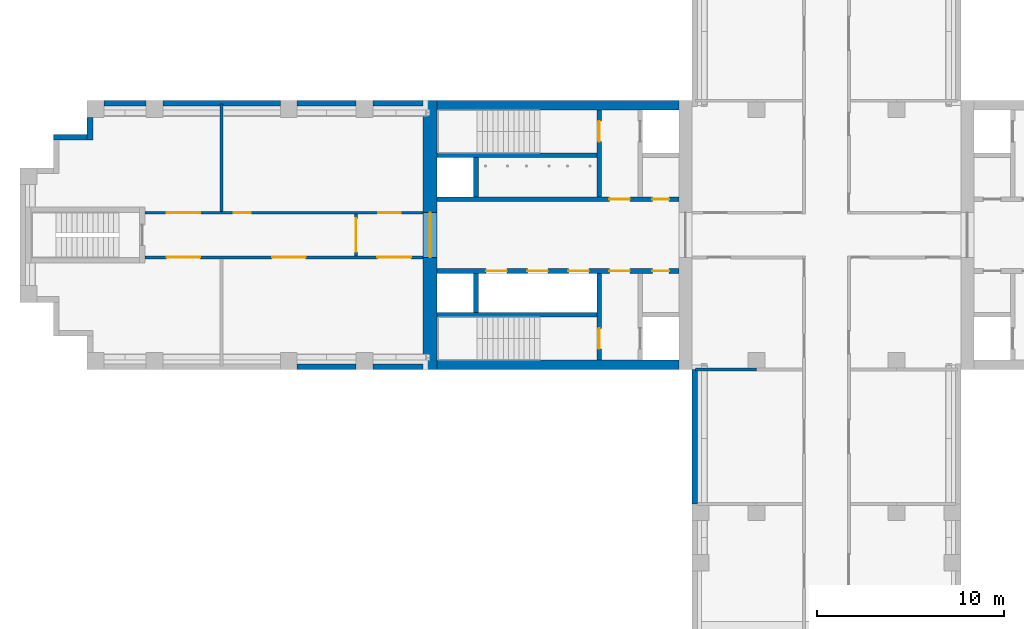
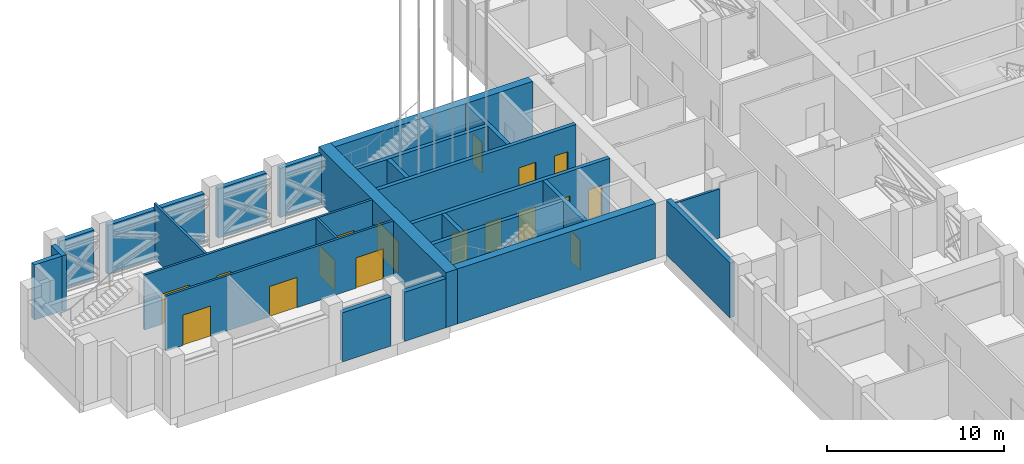
# One storey, part 5 of 22: 25 walls, 17 doors, 17 openings.
"""IFC4 building model written with IfcOpenShell, lengths in metres."""

from ifc_helpers import new_model, si_unit, direction, frame, frame_2d, origin, place, context, subcontext, project, spatial, rectangle, extrude, material, layer, layer_set, type_object, element, fill, save


model = new_model("IFC4")

# Units and contexts
model_context = context("Model", 3, precision=1e-05, world=origin(), true_north=direction((0.0, 1.0)))
body_context = subcontext(model_context, "Body", "Model", "MODEL_VIEW")
ifc_project = project(units=[si_unit("LENGTHUNIT", "METRE"), si_unit("AREAUNIT", "SQUARE_METRE"), si_unit("VOLUMEUNIT", "CUBIC_METRE"), si_unit("PLANEANGLEUNIT", "RADIAN"), si_unit("MASSUNIT", "GRAM", prefix="KILO")], contexts=[model_context])

# Site, building, storey
site_placement = place(None, origin())
site = spatial("IfcSite", under=ifc_project, at=site_placement, CompositionType="ELEMENT")
building_placement = place(site_placement, origin())
building = spatial("IfcBuilding", under=site, at=building_placement, Name="Fustian Cross Tower", CompositionType="ELEMENT")
storey_placement = place(building_placement, frame((0.0, 0.0, 111.89990234375)))
storey = spatial("IfcBuildingStorey", under=building, at=storey_placement, Name="L35", CompositionType="ELEMENT", Elevation=111.89990234375)

# Wall, openings, doors
ifc_material_1 = material(Name="Plasterboard on steel stud", Category="steel")
ifc_layer_1 = layer(ifc_material_1, 0.14990234375)
ifc_layer_set_1 = layer_set([ifc_layer_1], Name="Plasterboard on steel stud")
wall_type_1 = type_object("IfcWallType", Name="COMPARTMENT WALL 150 EI 60", PredefinedType="PARTITIONING", material=ifc_layer_set_1)
wall_1_placement = place(storey_placement, frame((-36.5, -1.199951171875, 0.0), z_axis=(0.0, 0.0, 1.0), x_axis=(1.0, 0.0, 0.0)))
wall_1 = element("IfcWall", 1, at=wall_1_placement, inside=storey, type_object=wall_type_1, Name="Partition 1", PredefinedType="PARTITIONING", context=body_context, shape_type="SweptSolid", body=[
    extrude(rectangle(XDim=14.89990234375, YDim=0.14990234375, at=frame_2d((7.449951171875, 0.0))), origin(), (0.0, 0.0, 1.0), 3.800048828125),
])
opening_1_placement = place(wall_1_placement, frame((6.800048828125, 0.0, 0.0)))
opening_1 = element("IfcOpeningElement", 2, at=opening_1_placement, cuts=wall_1, Name="Opening D16032", PredefinedType="OPENING", context=body_context, shape_type="SweptSolid", body=[
    extrude(rectangle(XDim=1.800048828125, YDim=2.10009765625, at=frame_2d((0.89990234375, 1.050048828125))), frame((0.0, 0.0849609375, 0.0), z_axis=(0.0, -1.0, 0.0), x_axis=(1.0, 0.0, 0.0)), (0.0, 0.0, 1.0), 0.169921875),
])
opening_2_placement = place(wall_1_placement, frame((12.449951171875, 0.0, 0.0)))
opening_2 = element("IfcOpeningElement", 3, at=opening_2_placement, cuts=wall_1, Name="Opening D16033", PredefinedType="OPENING", context=body_context, shape_type="SweptSolid", body=[
    extrude(rectangle(XDim=1.800048828125, YDim=2.10009765625, at=frame_2d((0.89990234375, 1.050048828125))), frame((0.0, 0.0849609375, 0.0), z_axis=(0.0, -1.0, 0.0), x_axis=(1.0, 0.0, 0.0)), (0.0, 0.0, 1.0), 0.169921875),
])
opening_3_placement = place(wall_1_placement, frame((1.14990234375, 0.0, 0.0)))
opening_3 = element("IfcOpeningElement", 4, at=opening_3_placement, cuts=wall_1, Name="Opening D16034", PredefinedType="OPENING", context=body_context, shape_type="SweptSolid", body=[
    extrude(rectangle(XDim=1.800048828125, YDim=2.10009765625, at=frame_2d((0.89990234375, 1.050048828125))), frame((0.0, 0.0849609375, 0.0), z_axis=(0.0, -1.0, 0.0), x_axis=(1.0, 0.0, 0.0)), (0.0, 0.0, 1.0), 0.169921875),
])
ifc_material_2 = material(Name="Timber fire door set", Category="wood")
door_type_1 = type_object("IfcDoorType", Name="FIRE DOUBLE DOOR 1800 FD60S", OperationType="DOUBLE_DOOR_DOUBLE_SWING", PredefinedType="DOOR", material=ifc_material_2)
door_1_placement = place(opening_1_placement, origin())
door_1 = element("IfcDoor", 5, at=door_1_placement, inside=storey, type_object=door_type_1, Name="Door D16032", OperationType="DOUBLE_DOOR_DOUBLE_SWING", OverallHeight=2.10009765625, OverallWidth=1.800048828125, PredefinedType="DOOR", context=body_context, shape_type="SweptSolid", body=[
    extrude(rectangle(XDim=1.800048828125, YDim=2.10009765625, at=frame_2d((0.89990234375, 1.050048828125))), frame((0.0, 0.02490234375, 0.0), z_axis=(0.0, -1.0, 0.0), x_axis=(1.0, 0.0, 0.0)), (0.0, 0.0, 1.0), 0.050048828125),
])
fill(opening_1, door_1)
door_2_placement = place(opening_2_placement, origin())
door_2 = element("IfcDoor", 6, at=door_2_placement, inside=storey, type_object=door_type_1, Name="Door D16033", OperationType="DOUBLE_DOOR_DOUBLE_SWING", OverallHeight=2.10009765625, OverallWidth=1.800048828125, PredefinedType="DOOR", context=body_context, shape_type="SweptSolid", body=[
    extrude(rectangle(XDim=1.800048828125, YDim=2.10009765625, at=frame_2d((0.89990234375, 1.050048828125))), frame((0.0, 0.02490234375, 0.0), z_axis=(0.0, -1.0, 0.0), x_axis=(1.0, 0.0, 0.0)), (0.0, 0.0, 1.0), 0.050048828125),
])
fill(opening_2, door_2)
door_3_placement = place(opening_3_placement, origin())
door_3 = element("IfcDoor", 7, at=door_3_placement, inside=storey, type_object=door_type_1, Name="Door D16034", OperationType="DOUBLE_DOOR_DOUBLE_SWING", OverallHeight=2.10009765625, OverallWidth=1.800048828125, PredefinedType="DOOR", context=body_context, shape_type="SweptSolid", body=[
    extrude(rectangle(XDim=1.800048828125, YDim=2.10009765625, at=frame_2d((0.89990234375, 1.050048828125))), frame((0.0, 0.02490234375, 0.0), z_axis=(0.0, -1.0, 0.0), x_axis=(1.0, 0.0, 0.0)), (0.0, 0.0, 1.0), 0.050048828125),
])
fill(opening_3, door_3)

wall_2_placement = place(storey_placement, frame((-36.5, 1.199951171875, 0.0), z_axis=(0.0, 0.0, 1.0), x_axis=(1.0, 0.0, 0.0)))
wall_2 = element("IfcWall", 8, at=wall_2_placement, inside=storey, type_object=wall_type_1, Name="Partition 2", PredefinedType="PARTITIONING", context=body_context, shape_type="SweptSolid", body=[
    extrude(rectangle(XDim=14.89990234375, YDim=0.14990234375, at=frame_2d((7.449951171875, 0.0))), origin(), (0.0, 0.0, 1.0), 3.800048828125),
])
opening_4_placement = place(wall_2_placement, frame((4.75, 0.0, 0.0)))
opening_4 = element("IfcOpeningElement", 9, at=opening_4_placement, cuts=wall_2, Name="Opening D16035", PredefinedType="OPENING", context=body_context, shape_type="SweptSolid", body=[
    extrude(rectangle(XDim=0.89990234375, YDim=2.10009765625, at=frame_2d((0.449951171875, 1.050048828125))), frame((0.0, 0.0849609375, 0.0), z_axis=(0.0, -1.0, 0.0), x_axis=(1.0, 0.0, 0.0)), (0.0, 0.0, 1.0), 0.169921875),
])
opening_5_placement = place(wall_2_placement, frame((12.5, 0.0, 0.0)))
opening_5 = element("IfcOpeningElement", 10, at=opening_5_placement, cuts=wall_2, Name="Opening D16036", PredefinedType="OPENING", context=body_context, shape_type="SweptSolid", body=[
    extrude(rectangle(XDim=1.199951171875, YDim=2.10009765625, at=frame_2d((0.60009765625, 1.050048828125))), frame((0.0, 0.0849609375, 0.0), z_axis=(0.0, -1.0, 0.0), x_axis=(1.0, 0.0, 0.0)), (0.0, 0.0, 1.0), 0.169921875),
])
opening_6_placement = place(wall_2_placement, frame((1.14990234375, 0.0, 0.0)))
opening_6 = element("IfcOpeningElement", 11, at=opening_6_placement, cuts=wall_2, Name="Opening D16037", PredefinedType="OPENING", context=body_context, shape_type="SweptSolid", body=[
    extrude(rectangle(XDim=1.800048828125, YDim=2.10009765625, at=frame_2d((0.89990234375, 1.050048828125))), frame((0.0, 0.0849609375, 0.0), z_axis=(0.0, -1.0, 0.0), x_axis=(1.0, 0.0, 0.0)), (0.0, 0.0, 1.0), 0.169921875),
])
door_4_placement = place(opening_6_placement, frame((1.800048828125, 0.0, 0.0), z_axis=(0.0, 0.0, 1.0), x_axis=(-1.0, 0.0, 0.0)))
door_4 = element("IfcDoor", 12, at=door_4_placement, inside=storey, type_object=door_type_1, Name="Door D16037", OperationType="DOUBLE_DOOR_DOUBLE_SWING", OverallHeight=2.10009765625, OverallWidth=1.800048828125, PredefinedType="DOOR", context=body_context, shape_type="SweptSolid", body=[
    extrude(rectangle(XDim=1.800048828125, YDim=2.10009765625, at=frame_2d((0.89990234375, 1.050048828125))), frame((0.0, 0.02490234375, 0.0), z_axis=(0.0, -1.0, 0.0), x_axis=(1.0, 0.0, 0.0)), (0.0, 0.0, 1.0), 0.050048828125),
])
fill(opening_6, door_4)
ifc_material_3 = material(Name="Timber fire door set", Category="wood")
door_type_2 = type_object("IfcDoorType", Name="FIRE SWING DOOR 1200 FD60S", OperationType="SINGLE_SWING_LEFT", PredefinedType="DOOR", material=ifc_material_3)
door_5_placement = place(opening_5_placement, origin())
door_5 = element("IfcDoor", 13, at=door_5_placement, inside=storey, type_object=door_type_2, Name="Door D16036", OperationType="SINGLE_SWING_RIGHT", OverallHeight=2.10009765625, OverallWidth=1.199951171875, PredefinedType="DOOR", context=body_context, shape_type="SweptSolid", body=[
    extrude(rectangle(XDim=1.199951171875, YDim=2.10009765625, at=frame_2d((0.60009765625, 1.050048828125))), frame((0.0, 0.02490234375, 0.0), z_axis=(0.0, -1.0, 0.0), x_axis=(1.0, 0.0, 0.0)), (0.0, 0.0, 1.0), 0.050048828125),
])
fill(opening_5, door_5)
ifc_material_4 = material(Name="Timber fire door set", Category="wood")
door_type_3 = type_object("IfcDoorType", Name="FIRE SWING DOOR 900 FD30S", OperationType="SINGLE_SWING_LEFT", PredefinedType="DOOR", material=ifc_material_4)
door_6_placement = place(opening_4_placement, origin())
door_6 = element("IfcDoor", 14, at=door_6_placement, inside=storey, type_object=door_type_3, Name="Door D16035", OperationType="SINGLE_SWING_LEFT", OverallHeight=2.10009765625, OverallWidth=0.89990234375, PredefinedType="DOOR", context=body_context, shape_type="SweptSolid", body=[
    extrude(rectangle(XDim=0.89990234375, YDim=2.10009765625, at=frame_2d((0.449951171875, 1.050048828125))), frame((0.0, 0.02490234375, 0.0), z_axis=(0.0, -1.0, 0.0), x_axis=(1.0, 0.0, 0.0)), (0.0, 0.0, 1.0), 0.050048828125),
])
fill(opening_4, door_6)

# Wall
wall_3_placement = place(storey_placement, frame((-32.39990234375, 1.27490234375, 0.0), z_axis=(0.0, 0.0, 1.0), x_axis=(0.0, 1.0, 0.0)))
element("IfcWall", 15, at=wall_3_placement, inside=storey, type_object=wall_type_1, Name="Partition 4", PredefinedType="PARTITIONING", context=body_context, shape_type="SweptSolid", body=[
    extrude(rectangle(XDim=5.7451171875, YDim=0.14990234375, at=frame_2d((2.87255859375, 0.0))), origin(), (0.0, 0.0, 1.0), 3.800048828125),
])

# Wall, opening, door
wall_4_placement = place(storey_placement, frame((-25.199951171875, -1.125, 0.0), z_axis=(0.0, 0.0, 1.0), x_axis=(0.0, 1.0, 0.0)))
wall_4 = element("IfcWall", 16, at=wall_4_placement, inside=storey, type_object=wall_type_1, Name="Partition 5", PredefinedType="PARTITIONING", context=body_context, shape_type="SweptSolid", body=[
    extrude(rectangle(XDim=2.25, YDim=0.14990234375, at=frame_2d((1.125, 0.0))), origin(), (0.0, 0.0, 1.0), 3.800048828125),
])
opening_7_placement = place(wall_4_placement, frame((0.22509765625, 0.0, 0.0)))
opening_7 = element("IfcOpeningElement", 17, at=opening_7_placement, cuts=wall_4, Name="Opening D16031", PredefinedType="OPENING", context=body_context, shape_type="SweptSolid", body=[
    extrude(rectangle(XDim=1.800048828125, YDim=2.10009765625, at=frame_2d((0.89990234375, 1.050048828125))), frame((0.0, 0.0849609375, 0.0), z_axis=(0.0, -1.0, 0.0), x_axis=(1.0, 0.0, 0.0)), (0.0, 0.0, 1.0), 0.169921875),
])
ifc_material_5 = material(Name="Timber fire door set", Category="wood")
door_type_4 = type_object("IfcDoorType", Name="FIRE DOUBLE DOOR 1800 FD30S", OperationType="DOUBLE_DOOR_DOUBLE_SWING", PredefinedType="DOOR", material=ifc_material_5)
door_7_placement = place(opening_7_placement, frame((1.800048828125, 0.0, 0.0), z_axis=(0.0, 0.0, 1.0), x_axis=(-1.0, 0.0, 0.0)))
door_7 = element("IfcDoor", 18, at=door_7_placement, inside=storey, type_object=door_type_4, Name="Door D16031", OperationType="DOUBLE_DOOR_DOUBLE_SWING", OverallHeight=2.10009765625, OverallWidth=1.800048828125, PredefinedType="DOOR", context=body_context, shape_type="SweptSolid", body=[
    extrude(rectangle(XDim=1.800048828125, YDim=2.10009765625, at=frame_2d((0.89990234375, 1.050048828125))), frame((0.0, 0.02490234375, 0.0), z_axis=(0.0, -1.0, 0.0), x_axis=(1.0, 0.0, 0.0)), (0.0, 0.0, 1.0), 0.050048828125),
])
fill(opening_7, door_7)

# Wall
wall_5_placement = place(storey_placement, frame((-7.02001953125, -7.199951171875, 0.0), z_axis=(0.0, 0.0, 1.0), x_axis=(1.0, 0.0, 0.0)))
element("IfcWall", 19, at=wall_5_placement, inside=storey, type_object=wall_type_1, Name="Partition 11", PredefinedType="PARTITIONING", context=body_context, shape_type="SweptSolid", body=[
    extrude(rectangle(XDim=3.27001953125, YDim=0.14990234375, at=frame_2d((1.635009765625, 0.0))), origin(), (0.0, 0.0, 1.0), 3.400146484375),
])

# Wall, opening, door
ifc_material_6 = material(Name="Concrete C70/85", Category="concrete")
ifc_layer_2 = layer(ifc_material_6, 0.75)
ifc_layer_set_2 = layer_set([ifc_layer_2], Name="Concrete C70/85")
wall_type_2 = type_object("IfcWallType", Name="CORE END WALL 750 C70/85", PredefinedType="SHEAR", material=ifc_layer_set_2)
wall_6_placement = place(storey_placement, frame((-21.22509765625, -7.199951171875, 0.0), z_axis=(0.0, 0.0, 1.0), x_axis=(0.0, 1.0, 0.0)))
wall_6 = element("IfcWall", 20, at=wall_6_placement, inside=storey, type_object=wall_type_2, Name="Core end wall", PredefinedType="SHEAR", context=body_context, shape_type="SweptSolid", body=[
    extrude(rectangle(XDim=14.39990234375, YDim=0.75, at=frame_2d((7.199951171875, 0.0))), origin(), (0.0, 0.0, 1.0), 3.800048828125),
])
opening_8_placement = place(wall_6_placement, frame((6.0, 0.0, 0.0)))
opening_8 = element("IfcOpeningElement", 21, at=opening_8_placement, cuts=wall_6, Name="Opening CD-13-26", PredefinedType="OPENING", context=body_context, shape_type="SweptSolid", body=[
    extrude(rectangle(XDim=2.39990234375, YDim=2.199951171875, at=frame_2d((1.199951171875, 1.10009765625))), frame((0.0, 0.385009765625, 0.0), z_axis=(0.0, -1.0, 0.0), x_axis=(1.0, 0.0, 0.0)), (0.0, 0.0, 1.0), 0.77001953125),
])
ifc_material_7 = material(Name="Steel", Category="steel")
door_type_5 = type_object("IfcDoorType", Name="FIRE DOOR FD30S DOUBLE 2400X2200", OperationType="DOUBLE_DOOR_DOUBLE_SWING", PredefinedType="DOOR", material=ifc_material_7)
door_8_placement = place(opening_8_placement, frame((2.39990234375, 0.0, 0.0), z_axis=(0.0, 0.0, 1.0), x_axis=(-1.0, 0.0, 0.0)))
door_8 = element("IfcDoor", 22, at=door_8_placement, inside=storey, type_object=door_type_5, Name="Core door CD-13-26", OperationType="DOUBLE_DOOR_DOUBLE_SWING", OverallHeight=2.199951171875, OverallWidth=2.39990234375, PredefinedType="DOOR", context=body_context, shape_type="SweptSolid", body=[
    extrude(rectangle(XDim=2.39990234375, YDim=2.199951171875, at=frame_2d((1.199951171875, 1.10009765625))), frame((0.0, 0.02490234375, 0.0), z_axis=(0.0, -1.0, 0.0), x_axis=(1.0, 0.0, 0.0)), (0.0, 0.0, 1.0), 0.050048828125),
])
fill(opening_8, door_8)

# Walls
ifc_material_8 = material(Name="Concrete C70/85", Category="concrete")
ifc_layer_3 = layer(ifc_material_8, 0.5)
ifc_layer_set_3 = layer_set([ifc_layer_3], Name="Concrete C70/85")
wall_type_3 = type_object("IfcWallType", Name="CORE FACADE WALL 500 C70/85", PredefinedType="SHEAR", material=ifc_layer_set_3)
for number, where, z_axis, x_axis, name in (
    (23, (-7.89990234375, 6.949951171875, 0.0), (0.0, 0.0, 1.0), (-1.0, 0.0, 0.0), "Core facade wall"),
    (24, (-7.89990234375, -6.949951171875, 0.0), (0.0, 0.0, 1.0), (-1.0, 0.0, 0.0), "Core facade wall"),
):
    element("IfcWall", number, at=place(storey_placement, frame(where, z_axis=z_axis, x_axis=x_axis)), inside=storey, type_object=wall_type_3, Name=name, PredefinedType="SHEAR", context=body_context, shape_type="SweptSolid", body=[
        extrude(rectangle(XDim=12.9501953125, YDim=0.5, at=frame_2d((6.47509765625, 0.0))), origin(), (0.0, 0.0, 1.0), 3.800048828125),
    ])

# Wall, openings, doors
ifc_material_9 = material(Name="Concrete C50/60", Category="concrete")
ifc_layer_4 = layer(ifc_material_9, 0.25)
ifc_layer_set_4 = layer_set([ifc_layer_4], Name="Concrete C50/60")
wall_type_4 = type_object("IfcWallType", Name="CORE LOBBY WALL 250 C50/60", PredefinedType="SHEAR", material=ifc_layer_set_4)
wall_7_placement = place(storey_placement, frame((-7.89990234375, 1.925048828125, 0.0), z_axis=(0.0, 0.0, 1.0), x_axis=(-1.0, 0.0, 0.0)))
wall_7 = element("IfcWall", 25, at=wall_7_placement, inside=storey, type_object=wall_type_4, Name="Core lobby wall", PredefinedType="SHEAR", context=body_context, shape_type="SweptSolid", body=[
    extrude(rectangle(XDim=12.9501953125, YDim=0.25, at=frame_2d((6.47509765625, 0.0))), origin(), (0.0, 0.0, 1.0), 3.800048828125),
])
opening_9_placement = place(wall_7_placement, frame((0.52490234375, 0.0, 0.0)))
opening_9 = element("IfcOpeningElement", 26, at=opening_9_placement, cuts=wall_7, Name="Opening CD-13-21", PredefinedType="OPENING", context=body_context, shape_type="SweptSolid", body=[
    extrude(rectangle(XDim=0.89990234375, YDim=2.10009765625, at=frame_2d((0.449951171875, 1.050048828125))), frame((0.0, 0.135009765625, 0.0), z_axis=(0.0, -1.0, 0.0), x_axis=(1.0, 0.0, 0.0)), (0.0, 0.0, 1.0), 0.27001953125),
])
opening_10_placement = place(wall_7_placement, frame((2.625, 0.0, 0.0)))
opening_10 = element("IfcOpeningElement", 27, at=opening_10_placement, cuts=wall_7, Name="Opening CD-13-23", PredefinedType="OPENING", context=body_context, shape_type="SweptSolid", body=[
    extrude(rectangle(XDim=1.10009765625, YDim=2.10009765625, at=frame_2d((0.550048828125, 1.050048828125))), frame((0.0, 0.135009765625, 0.0), z_axis=(0.0, -1.0, 0.0), x_axis=(1.0, 0.0, 0.0)), (0.0, 0.0, 1.0), 0.27001953125),
])
ifc_material_10 = material(Name="Steel", Category="steel")
door_type_6 = type_object("IfcDoorType", Name="FIRE DOOR FD60S 1100X2100", OperationType="SINGLE_SWING_LEFT", PredefinedType="DOOR", material=ifc_material_10)
door_9_placement = place(opening_10_placement, frame((1.10009765625, 0.0, 0.0), z_axis=(0.0, 0.0, 1.0), x_axis=(-1.0, 0.0, 0.0)))
door_9 = element("IfcDoor", 28, at=door_9_placement, inside=storey, type_object=door_type_6, Name="Core door CD-13-23", OperationType="SINGLE_SWING_RIGHT", OverallHeight=2.10009765625, OverallWidth=1.10009765625, PredefinedType="DOOR", context=body_context, shape_type="SweptSolid", body=[
    extrude(rectangle(XDim=1.10009765625, YDim=2.10009765625, at=frame_2d((0.550048828125, 1.050048828125))), frame((0.0, 0.02490234375, 0.0), z_axis=(0.0, -1.0, 0.0), x_axis=(1.0, 0.0, 0.0)), (0.0, 0.0, 1.0), 0.050048828125),
])
fill(opening_10, door_9)
ifc_material_11 = material(Name="Steel", Category="steel")
door_type_7 = type_object("IfcDoorType", Name="FIRE DOOR FD60S 900X2100", OperationType="SINGLE_SWING_LEFT", PredefinedType="DOOR", material=ifc_material_11)
door_10_placement = place(opening_9_placement, frame((0.89990234375, 0.0, 0.0), z_axis=(0.0, 0.0, 1.0), x_axis=(-1.0, 0.0, 0.0)))
door_10 = element("IfcDoor", 29, at=door_10_placement, inside=storey, type_object=door_type_7, Name="Core door CD-13-21", OperationType="SINGLE_SWING_RIGHT", OverallHeight=2.10009765625, OverallWidth=0.89990234375, PredefinedType="DOOR", context=body_context, shape_type="SweptSolid", body=[
    extrude(rectangle(XDim=0.89990234375, YDim=2.10009765625, at=frame_2d((0.449951171875, 1.050048828125))), frame((0.0, 0.02490234375, 0.0), z_axis=(0.0, -1.0, 0.0), x_axis=(1.0, 0.0, 0.0)), (0.0, 0.0, 1.0), 0.050048828125),
])
fill(opening_9, door_10)

wall_8_placement = place(storey_placement, frame((-7.89990234375, -1.925048828125, 0.0), z_axis=(0.0, 0.0, 1.0), x_axis=(-1.0, 0.0, 0.0)))
wall_8 = element("IfcWall", 30, at=wall_8_placement, inside=storey, type_object=wall_type_4, Name="Core lobby wall", PredefinedType="SHEAR", context=body_context, shape_type="SweptSolid", body=[
    extrude(rectangle(XDim=12.9501953125, YDim=0.25, at=frame_2d((6.47509765625, 0.0))), origin(), (0.0, 0.0, 1.0), 3.800048828125),
])
opening_11_placement = place(wall_8_placement, frame((4.824951171875, 0.0, 0.0)))
opening_11 = element("IfcOpeningElement", 31, at=opening_11_placement, cuts=wall_8, Name="Opening LD", PredefinedType="OPENING", context=body_context, shape_type="SweptSolid", body=[
    extrude(rectangle(XDim=1.10009765625, YDim=2.10009765625, at=frame_2d((0.550048828125, 1.050048828125))), frame((0.0, 0.135009765625, 0.0), z_axis=(0.0, -1.0, 0.0), x_axis=(1.0, 0.0, 0.0)), (0.0, 0.0, 1.0), 0.27001953125),
])
opening_12_placement = place(wall_8_placement, frame((7.02490234375, 0.0, 0.0)))
opening_12 = element("IfcOpeningElement", 32, at=opening_12_placement, cuts=wall_8, Name="Opening LD", PredefinedType="OPENING", context=body_context, shape_type="SweptSolid", body=[
    extrude(rectangle(XDim=1.10009765625, YDim=2.10009765625, at=frame_2d((0.550048828125, 1.050048828125))), frame((0.0, 0.135009765625, 0.0), z_axis=(0.0, -1.0, 0.0), x_axis=(1.0, 0.0, 0.0)), (0.0, 0.0, 1.0), 0.27001953125),
])
opening_13_placement = place(wall_8_placement, frame((9.22509765625, 0.0, 0.0)))
opening_13 = element("IfcOpeningElement", 33, at=opening_13_placement, cuts=wall_8, Name="Opening LD", PredefinedType="OPENING", context=body_context, shape_type="SweptSolid", body=[
    extrude(rectangle(XDim=1.10009765625, YDim=2.10009765625, at=frame_2d((0.550048828125, 1.050048828125))), frame((0.0, 0.135009765625, 0.0), z_axis=(0.0, -1.0, 0.0), x_axis=(1.0, 0.0, 0.0)), (0.0, 0.0, 1.0), 0.27001953125),
])
opening_14_placement = place(wall_8_placement, frame((0.52490234375, 0.0, 0.0)))
opening_14 = element("IfcOpeningElement", 34, at=opening_14_placement, cuts=wall_8, Name="Opening CD-13-22", PredefinedType="OPENING", context=body_context, shape_type="SweptSolid", body=[
    extrude(rectangle(XDim=0.89990234375, YDim=2.10009765625, at=frame_2d((0.449951171875, 1.050048828125))), frame((0.0, 0.135009765625, 0.0), z_axis=(0.0, -1.0, 0.0), x_axis=(1.0, 0.0, 0.0)), (0.0, 0.0, 1.0), 0.27001953125),
])
opening_15_placement = place(wall_8_placement, frame((2.625, 0.0, 0.0)))
opening_15 = element("IfcOpeningElement", 35, at=opening_15_placement, cuts=wall_8, Name="Opening CD-13-24", PredefinedType="OPENING", context=body_context, shape_type="SweptSolid", body=[
    extrude(rectangle(XDim=1.10009765625, YDim=2.10009765625, at=frame_2d((0.550048828125, 1.050048828125))), frame((0.0, 0.135009765625, 0.0), z_axis=(0.0, -1.0, 0.0), x_axis=(1.0, 0.0, 0.0)), (0.0, 0.0, 1.0), 0.27001953125),
])
ifc_material_12 = material(Name="Steel", Category="steel")
door_type_8 = type_object("IfcDoorType", Name="FIRE DOOR FD30S 1100X2100", OperationType="SINGLE_SWING_LEFT", PredefinedType="DOOR", material=ifc_material_12)
door_11_placement = place(opening_15_placement, frame((1.10009765625, 0.0, 0.0), z_axis=(0.0, 0.0, 1.0), x_axis=(-1.0, 0.0, 0.0)))
door_11 = element("IfcDoor", 36, at=door_11_placement, inside=storey, type_object=door_type_8, Name="Core door CD-13-24", OperationType="SINGLE_SWING_RIGHT", OverallHeight=2.10009765625, OverallWidth=1.10009765625, PredefinedType="DOOR", context=body_context, shape_type="SweptSolid", body=[
    extrude(rectangle(XDim=1.10009765625, YDim=2.10009765625, at=frame_2d((0.550048828125, 1.050048828125))), frame((0.0, 0.02490234375, 0.0), z_axis=(0.0, -1.0, 0.0), x_axis=(1.0, 0.0, 0.0)), (0.0, 0.0, 1.0), 0.050048828125),
])
fill(opening_15, door_11)
ifc_material_13 = material(Name="Steel", Category="steel")
door_type_9 = type_object("IfcDoorType", Name="FIRE DOOR FD30S 900X2100", OperationType="SINGLE_SWING_LEFT", PredefinedType="DOOR", material=ifc_material_13)
door_12_placement = place(opening_14_placement, origin())
door_12 = element("IfcDoor", 37, at=door_12_placement, inside=storey, type_object=door_type_9, Name="Core door CD-13-22", OperationType="SINGLE_SWING_LEFT", OverallHeight=2.10009765625, OverallWidth=0.89990234375, PredefinedType="DOOR", context=body_context, shape_type="SweptSolid", body=[
    extrude(rectangle(XDim=0.89990234375, YDim=2.10009765625, at=frame_2d((0.449951171875, 1.050048828125))), frame((0.0, 0.02490234375, 0.0), z_axis=(0.0, -1.0, 0.0), x_axis=(1.0, 0.0, 0.0)), (0.0, 0.0, 1.0), 0.050048828125),
])
fill(opening_14, door_12)
ifc_material_14 = material(Name="Stainless steel", Category="steel")
door_type_10 = type_object("IfcDoorType", Name="LIFT LANDING DOOR 1100X2100", OperationType="SLIDING_TO_LEFT", PredefinedType="DOOR", material=ifc_material_14)
door_13_placement = place(opening_11_placement, origin())
door_13 = element("IfcDoor", 38, at=door_13_placement, inside=storey, type_object=door_type_10, Name="Landing door LR1W", OperationType="SLIDING_TO_LEFT", OverallHeight=2.10009765625, OverallWidth=1.10009765625, PredefinedType="DOOR", context=body_context, shape_type="SweptSolid", body=[
    extrude(rectangle(XDim=1.10009765625, YDim=2.10009765625, at=frame_2d((0.550048828125, 1.050048828125))), frame((0.0, 0.02490234375, 0.0), z_axis=(0.0, -1.0, 0.0), x_axis=(1.0, 0.0, 0.0)), (0.0, 0.0, 1.0), 0.050048828125),
])
fill(opening_11, door_13)
door_14_placement = place(opening_12_placement, origin())
door_14 = element("IfcDoor", 39, at=door_14_placement, inside=storey, type_object=door_type_10, Name="Landing door LR2W", OperationType="SLIDING_TO_LEFT", OverallHeight=2.10009765625, OverallWidth=1.10009765625, PredefinedType="DOOR", context=body_context, shape_type="SweptSolid", body=[
    extrude(rectangle(XDim=1.10009765625, YDim=2.10009765625, at=frame_2d((0.550048828125, 1.050048828125))), frame((0.0, 0.02490234375, 0.0), z_axis=(0.0, -1.0, 0.0), x_axis=(1.0, 0.0, 0.0)), (0.0, 0.0, 1.0), 0.050048828125),
])
fill(opening_12, door_14)
door_15_placement = place(opening_13_placement, origin())
door_15 = element("IfcDoor", 40, at=door_15_placement, inside=storey, type_object=door_type_10, Name="Landing door LR3W", OperationType="SLIDING_TO_LEFT", OverallHeight=2.10009765625, OverallWidth=1.10009765625, PredefinedType="DOOR", context=body_context, shape_type="SweptSolid", body=[
    extrude(rectangle(XDim=1.10009765625, YDim=2.10009765625, at=frame_2d((0.550048828125, 1.050048828125))), frame((0.0, 0.02490234375, 0.0), z_axis=(0.0, -1.0, 0.0), x_axis=(1.0, 0.0, 0.0)), (0.0, 0.0, 1.0), 0.050048828125),
])
fill(opening_13, door_15)

# Wall
ifc_material_15 = material(Name="Concrete C50/60", Category="concrete")
ifc_layer_5 = layer(ifc_material_15, 0.25)
ifc_layer_set_5 = layer_set([ifc_layer_5], Name="Concrete C50/60")
wall_type_5 = type_object("IfcWallType", Name="CORE SHAFT WALL 250 C50/60", PredefinedType="SHEAR", material=ifc_layer_set_5)
wall_9_placement = place(storey_placement, frame((-12.300048828125, 4.27490234375, 0.0), z_axis=(0.0, 0.0, 1.0), x_axis=(-1.0, 0.0, 0.0)))
element("IfcWall", 41, at=wall_9_placement, inside=storey, type_object=wall_type_5, Name="Core shaft wall", PredefinedType="SHEAR", context=body_context, shape_type="SweptSolid", body=[
    extrude(rectangle(XDim=8.550048828125, YDim=0.25, at=frame_2d((4.27490234375, 0.0))), origin(), (0.0, 0.0, 1.0), 3.800048828125),
])

# Wall, opening, door
wall_10_placement = place(storey_placement, frame((-12.175048828125, 2.050048828125, 0.0), z_axis=(0.0, 0.0, 1.0), x_axis=(0.0, 1.0, 0.0)))
wall_10 = element("IfcWall", 42, at=wall_10_placement, inside=storey, type_object=wall_type_5, Name="Core shaft wall", PredefinedType="SHEAR", context=body_context, shape_type="SweptSolid", body=[
    extrude(rectangle(XDim=4.64990234375, YDim=0.25, at=frame_2d((2.324951171875, 0.0))), origin(), (0.0, 0.0, 1.0), 3.800048828125),
])
opening_16_placement = place(wall_10_placement, frame((2.949951171875, 0.0, 0.0)))
opening_16 = element("IfcOpeningElement", 43, at=opening_16_placement, cuts=wall_10, Name="Opening CD-13-19", PredefinedType="OPENING", context=body_context, shape_type="SweptSolid", body=[
    extrude(rectangle(XDim=1.10009765625, YDim=2.10009765625, at=frame_2d((0.550048828125, 1.050048828125))), frame((0.0, 0.135009765625, 0.0), z_axis=(0.0, -1.0, 0.0), x_axis=(1.0, 0.0, 0.0)), (0.0, 0.0, 1.0), 0.27001953125),
])
door_16_placement = place(opening_16_placement, origin())
door_16 = element("IfcDoor", 44, at=door_16_placement, inside=storey, type_object=door_type_6, Name="Core door CD-13-19", OperationType="SINGLE_SWING_LEFT", OverallHeight=2.10009765625, OverallWidth=1.10009765625, PredefinedType="DOOR", context=body_context, shape_type="SweptSolid", body=[
    extrude(rectangle(XDim=1.10009765625, YDim=2.10009765625, at=frame_2d((0.550048828125, 1.050048828125))), frame((0.0, 0.02490234375, 0.0), z_axis=(0.0, -1.0, 0.0), x_axis=(1.0, 0.0, 0.0)), (0.0, 0.0, 1.0), 0.050048828125),
])
fill(opening_16, door_16)

# Wall
wall_11_placement = place(storey_placement, frame((-12.300048828125, -4.27490234375, 0.0), z_axis=(0.0, 0.0, 1.0), x_axis=(-1.0, 0.0, 0.0)))
element("IfcWall", 45, at=wall_11_placement, inside=storey, type_object=wall_type_5, Name="Core shaft wall", PredefinedType="SHEAR", context=body_context, shape_type="SweptSolid", body=[
    extrude(rectangle(XDim=8.550048828125, YDim=0.25, at=frame_2d((4.27490234375, 0.0))), origin(), (0.0, 0.0, 1.0), 3.800048828125),
])

# Wall, opening, door
wall_12_placement = place(storey_placement, frame((-12.175048828125, -2.050048828125, 0.0), z_axis=(0.0, 0.0, 1.0), x_axis=(0.0, -1.0, 0.0)))
wall_12 = element("IfcWall", 46, at=wall_12_placement, inside=storey, type_object=wall_type_5, Name="Core shaft wall", PredefinedType="SHEAR", context=body_context, shape_type="SweptSolid", body=[
    extrude(rectangle(XDim=4.64990234375, YDim=0.25, at=frame_2d((2.324951171875, 0.0))), origin(), (0.0, 0.0, 1.0), 3.800048828125),
])
opening_17_placement = place(wall_12_placement, frame((2.949951171875, 0.0, 0.0)))
opening_17 = element("IfcOpeningElement", 47, at=opening_17_placement, cuts=wall_12, Name="Opening CD-13-20", PredefinedType="OPENING", context=body_context, shape_type="SweptSolid", body=[
    extrude(rectangle(XDim=1.10009765625, YDim=2.10009765625, at=frame_2d((0.550048828125, 1.050048828125))), frame((0.0, 0.135009765625, 0.0), z_axis=(0.0, -1.0, 0.0), x_axis=(1.0, 0.0, 0.0)), (0.0, 0.0, 1.0), 0.27001953125),
])
door_17_placement = place(opening_17_placement, frame((1.10009765625, 0.0, 0.0), z_axis=(0.0, 0.0, 1.0), x_axis=(-1.0, 0.0, 0.0)))
door_17 = element("IfcDoor", 48, at=door_17_placement, inside=storey, type_object=door_type_6, Name="Core door CD-13-20", OperationType="SINGLE_SWING_RIGHT", OverallHeight=2.10009765625, OverallWidth=1.10009765625, PredefinedType="DOOR", context=body_context, shape_type="SweptSolid", body=[
    extrude(rectangle(XDim=1.10009765625, YDim=2.10009765625, at=frame_2d((0.550048828125, 1.050048828125))), frame((0.0, 0.02490234375, 0.0), z_axis=(0.0, -1.0, 0.0), x_axis=(1.0, 0.0, 0.0)), (0.0, 0.0, 1.0), 0.050048828125),
])
fill(opening_17, door_17)

# Walls
ifc_material_16 = material(Name="Concrete C40/50", Category="concrete")
ifc_layer_6 = layer(ifc_material_16, 0.25)
ifc_layer_set_6 = layer_set([ifc_layer_6], Name="Concrete C40/50")
wall_type_6 = type_object("IfcWallType", Name="SHAFT PARTITION WALL 250 C40/50", PredefinedType="PARTITIONING", material=ifc_layer_set_6)
for number, where, z_axis, x_axis, name in (
    (49, (-18.77490234375, 2.050048828125, 0.0), (0.0, 0.0, 1.0), (0.0, 1.0, 0.0), "Core shaft wall"),
    (50, (-18.77490234375, -2.050048828125, 0.0), (0.0, 0.0, 1.0), (0.0, -1.0, 0.0), "Core shaft wall"),
):
    element("IfcWall", number, at=place(storey_placement, frame(where, z_axis=z_axis, x_axis=x_axis)), inside=storey, type_object=wall_type_6, Name=name, PredefinedType="PARTITIONING", context=body_context, shape_type="SweptSolid", body=[
        extrude(rectangle(XDim=2.099853515625, YDim=0.25, at=frame_2d((1.0498046875, 0.0))), origin(), (0.0, 0.0, 1.0), 3.800048828125),
    ])
ifc_material_17 = material(Name="Dark aluminium louvres on insulated backing wall", Category="aluminium")
ifc_layer_7 = layer(ifc_material_17, 0.300048828125)
ifc_layer_set_7 = layer_set([ifc_layer_7], Name="Dark aluminium louvres on insulated backing wall")
wall_type_7 = type_object("IfcWallType", Name="XW2 LOUVRED PLANT WALL 300", PredefinedType="SOLIDWALL", material=ifc_layer_set_7)
wall_13_placement = place(storey_placement, frame((-21.60009765625, 7.050048828125, 0.0), z_axis=(0.0, 0.0, 1.0), x_axis=(-1.0, 0.0, 0.0)))
element("IfcWall", 51, at=wall_13_placement, inside=storey, type_object=wall_type_7, Name="Plant louvre wall", PredefinedType="SOLIDWALL", context=body_context, shape_type="SweptSolid", body=[
    extrude(rectangle(XDim=2.699951171875, YDim=0.300048828125, at=frame_2d((1.35009765625, 0.0))), origin(), (0.0, 0.0, 1.0), 3.400146484375),
])
wall_14_placement = place(storey_placement, frame((-25.199951171875, 7.050048828125, 0.0), z_axis=(0.0, 0.0, 1.0), x_axis=(-1.0, 0.0, 0.0)))
element("IfcWall", 52, at=wall_14_placement, inside=storey, type_object=wall_type_7, Name="Plant louvre wall", PredefinedType="SOLIDWALL", context=body_context, shape_type="SweptSolid", body=[
    extrude(rectangle(XDim=3.150146484375, YDim=0.300048828125, at=frame_2d((1.5751953125, 0.0))), origin(), (0.0, 0.0, 1.0), 3.400146484375),
])
wall_15_placement = place(storey_placement, frame((-29.25, 7.050048828125, 0.0), z_axis=(0.0, 0.0, 1.0), x_axis=(-1.0, 0.0, 0.0)))
element("IfcWall", 53, at=wall_15_placement, inside=storey, type_object=wall_type_7, Name="Plant louvre wall", PredefinedType="SOLIDWALL", context=body_context, shape_type="SweptSolid", body=[
    extrude(rectangle(XDim=6.300048828125, YDim=0.300048828125, at=frame_2d((3.14990234375, 0.0))), origin(), (0.0, 0.0, 1.0), 3.400146484375),
])
wall_16_placement = place(storey_placement, frame((-36.449951171875, 7.050048828125, 0.0), z_axis=(0.0, 0.0, 1.0), x_axis=(-1.0, 0.0, 0.0)))
element("IfcWall", 54, at=wall_16_placement, inside=storey, type_object=wall_type_7, Name="Plant louvre wall", PredefinedType="SOLIDWALL", context=body_context, shape_type="SweptSolid", body=[
    extrude(rectangle(XDim=2.25, YDim=0.300048828125, at=frame_2d((1.125, 0.0))), origin(), (0.0, 0.0, 1.0), 3.400146484375),
])
wall_17_placement = place(storey_placement, frame((-39.449951171875, 6.300048828125, 0.0), z_axis=(0.0, 0.0, 1.0), x_axis=(0.0, -1.0, 0.0)))
element("IfcWall", 55, at=wall_17_placement, inside=storey, type_object=wall_type_7, Name="Plant louvre wall", PredefinedType="SOLIDWALL", context=body_context, shape_type="SweptSolid", body=[
    extrude(rectangle(XDim=1.199951171875, YDim=0.300048828125, at=frame_2d((0.60009765625, 0.0))), origin(), (0.0, 0.0, 1.0), 3.800048828125),
])
wall_18_placement = place(storey_placement, frame((-39.60009765625, 5.25, 0.0), z_axis=(0.0, 0.0, 1.0), x_axis=(-1.0, 0.0, 0.0)))
element("IfcWall", 56, at=wall_18_placement, inside=storey, type_object=wall_type_7, Name="Plant louvre wall", PredefinedType="SOLIDWALL", context=body_context, shape_type="SweptSolid", body=[
    extrude(rectangle(XDim=1.7998046875, YDim=0.300048828125, at=frame_2d((0.89990234375, 0.0))), origin(), (0.0, 0.0, 1.0), 3.800048828125),
])
wall_19_placement = place(storey_placement, frame((-28.35009765625, -7.050048828125, 0.0), z_axis=(0.0, 0.0, 1.0), x_axis=(1.0, 0.0, 0.0)))
element("IfcWall", 57, at=wall_19_placement, inside=storey, type_object=wall_type_7, Name="Plant louvre wall", PredefinedType="SOLIDWALL", context=body_context, shape_type="SweptSolid", body=[
    extrude(rectangle(XDim=3.150146484375, YDim=0.300048828125, at=frame_2d((1.5751953125, 0.0))), origin(), (0.0, 0.0, 1.0), 3.400146484375),
])
wall_20_placement = place(storey_placement, frame((-24.300048828125, -7.050048828125, 0.0), z_axis=(0.0, 0.0, 1.0), x_axis=(1.0, 0.0, 0.0)))
element("IfcWall", 58, at=wall_20_placement, inside=storey, type_object=wall_type_7, Name="Plant louvre wall", PredefinedType="SOLIDWALL", context=body_context, shape_type="SweptSolid", body=[
    extrude(rectangle(XDim=2.699951171875, YDim=0.300048828125, at=frame_2d((1.35009765625, 0.0))), origin(), (0.0, 0.0, 1.0), 3.400146484375),
])
wall_21_placement = place(storey_placement, frame((-7.050048828125, -7.199951171875, 0.0), z_axis=(0.0, 0.0, 1.0), x_axis=(0.0, -1.0, 0.0)))
element("IfcWall", 59, at=wall_21_placement, inside=storey, type_object=wall_type_7, Name="Plant louvre wall", PredefinedType="SOLIDWALL", context=body_context, shape_type="SweptSolid", body=[
    extrude(rectangle(XDim=7.199951171875, YDim=0.300048828125, at=frame_2d((3.60009765625, 0.0))), origin(), (0.0, 0.0, 1.0), 3.800048828125),
])

save(model, "model.ifc")
